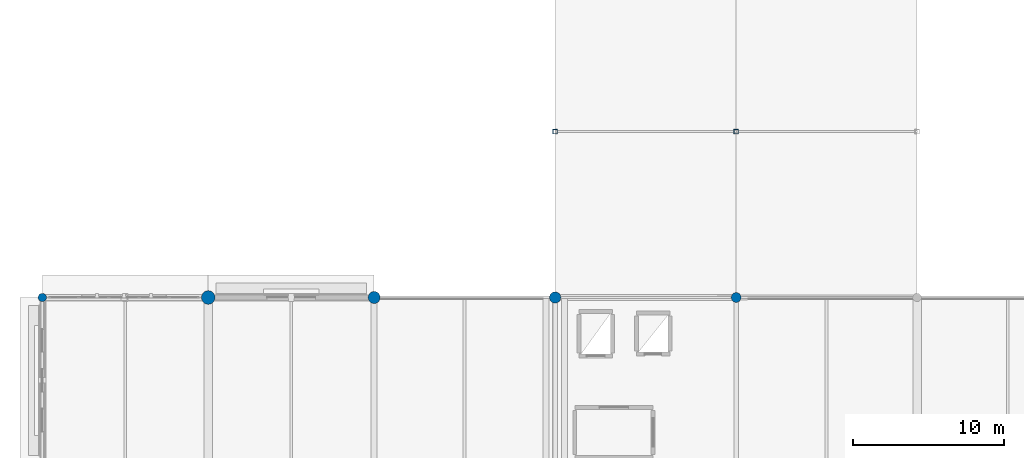
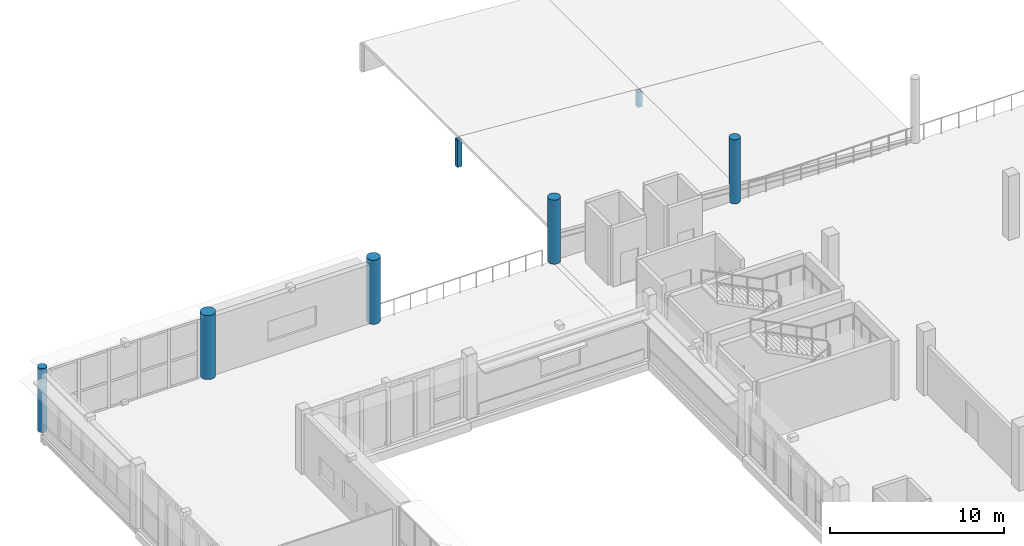
# One storey, part 10 of 118: 7 columns.
"""IFC4 building model written with IfcOpenShell, lengths in metres."""

from ifc_helpers import new_model, si_unit, direction, frame, origin, origin_2d, place, context, subcontext, project, spatial, hollow_rectangle, circle, extrude, material, material_profile, profile_set, type_object, element, save


model = new_model("IFC4")

# Units and contexts
model_context = context("Model", 3, precision=1e-05, world=origin(), true_north=direction((0.0, 1.0)))
body_context = subcontext(model_context, "Body", "Model", "MODEL_VIEW")
ifc_project = project(units=[si_unit("LENGTHUNIT", "METRE"), si_unit("AREAUNIT", "SQUARE_METRE"), si_unit("VOLUMEUNIT", "CUBIC_METRE"), si_unit("PLANEANGLEUNIT", "RADIAN"), si_unit("MASSUNIT", "GRAM", prefix="KILO")], contexts=[model_context])

# Site, building, storey
site_placement = place(None, origin())
site = spatial("IfcSite", under=ifc_project, at=site_placement, CompositionType="ELEMENT")
building_placement = place(site_placement, origin())
building = spatial("IfcBuilding", under=site, at=building_placement, Name="Luwafu Chhajja Arena", CompositionType="ELEMENT")
storey_placement = place(building_placement, frame((0.0, 0.0, 10.199951171875)))
storey = spatial("IfcBuildingStorey", under=building, at=storey_placement, Name="L02", CompositionType="ELEMENT", Elevation=10.199951171875)

# Columns
ifc_material_1 = material(Name="Concrete C35/45", Category="concrete")
ifc_material_profile_1 = material_profile(ifc_material_1, circle(Radius=0.375, at=origin_2d()), Name="RC COL D750")
ifc_profile_set_1 = profile_set([ifc_material_profile_1], Name="Concrete C35/45")
column_type_1 = type_object("IfcColumnType", Name="Charbagh Cloister Pier D750", PredefinedType="COLUMN", material=ifc_profile_set_1)
column_1_placement = place(storey_placement, frame((34.0, 99.0, 0.0), z_axis=(0.0, 0.0, 1.0), x_axis=(1.0, 0.0, 0.0)))
element("IfcColumn", 1, at=column_1_placement, inside=storey, type_object=column_type_1, Name="L02 Grid Column 4/K", PredefinedType="COLUMN", context=body_context, shape_type="SweptSolid", body=[
    extrude(circle(Radius=0.375, at=origin_2d()), origin(), (0.0, 0.0, 1.0), 4.5),
])
ifc_material_profile_2 = material_profile(ifc_material_1, circle(Radius=0.324951171875, at=origin_2d()), Name="RC COL D650")
ifc_profile_set_2 = profile_set([ifc_material_profile_2], Name="Concrete C35/45")
column_type_2 = type_object("IfcColumnType", Name="Courtyard Arcade Pier D650", PredefinedType="COLUMN", material=ifc_profile_set_2)
column_2_placement = place(storey_placement, frame((46.0, 99.0, 0.0), z_axis=(0.0, 0.0, 1.0), x_axis=(1.0, 0.0, 0.0)))
element("IfcColumn", 2, at=column_2_placement, inside=storey, type_object=column_type_2, Name="L02 Grid Column 5/K", PredefinedType="COLUMN", context=body_context, shape_type="SweptSolid", body=[
    extrude(circle(Radius=0.324951171875, at=origin_2d()), origin(), (0.0, 0.0, 1.0), 4.5),
])
ifc_material_2 = material(Name="Concrete C40/50", Category="concrete")
ifc_material_profile_3 = material_profile(ifc_material_2, circle(Radius=0.39990234375, at=origin_2d()), Name="RC COL D800")
ifc_profile_set_3 = profile_set([ifc_material_profile_3], Name="Concrete C40/50")
column_type_3 = type_object("IfcColumnType", Name="Foyer Rotunda Pier D800", PredefinedType="COLUMN", material=ifc_profile_set_3)
column_3_placement = place(storey_placement, frame((22.0, 99.0, 0.0), z_axis=(0.0, 0.0, 1.0), x_axis=(1.0, 0.0, 0.0)))
element("IfcColumn", 3, at=column_3_placement, inside=storey, type_object=column_type_3, Name="L02 Grid Column 3/K", PredefinedType="COLUMN", context=body_context, shape_type="SweptSolid", body=[
    extrude(circle(Radius=0.39990234375, at=origin_2d()), origin(), (0.0, 0.0, 1.0), 4.5),
])
ifc_material_profile_4 = material_profile(ifc_material_2, circle(Radius=0.449951171875, at=origin_2d()), Name="RC COL D900")
ifc_profile_set_4 = profile_set([ifc_material_profile_4], Name="Concrete C40/50")
column_type_4 = type_object("IfcColumnType", Name="Mughal Colonnade Drum Pier D900", PredefinedType="COLUMN", material=ifc_profile_set_4)
column_4_placement = place(storey_placement, frame((11.0, 99.0, 0.0), z_axis=(0.0, 0.0, 1.0), x_axis=(1.0, 0.0, 0.0)))
element("IfcColumn", 4, at=column_4_placement, inside=storey, type_object=column_type_4, Name="L02 Grid Column 2/K", PredefinedType="COLUMN", context=body_context, shape_type="SweptSolid", body=[
    extrude(circle(Radius=0.449951171875, at=origin_2d()), origin(), (0.0, 0.0, 1.0), 4.5),
])
ifc_material_3 = material(Name="Steel S355", Category="steel")
ifc_material_profile_5 = material_profile(ifc_material_3, hollow_rectangle(XDim=0.300048828125, YDim=0.300048828125, WallThickness=0.01611328125, at=origin_2d()), Name="SHS 300x300x16")
ifc_profile_set_5 = profile_set([ifc_material_profile_5], Name="Steel S355")
column_type_5 = type_object("IfcColumnType", Name="Steel Gallery Post SHS 300", PredefinedType="COLUMN", material=ifc_profile_set_5)
column_5_placement = place(storey_placement, frame((34.0, 110.0, 0.0), z_axis=(0.0, 0.0, 1.0), x_axis=(1.0, 0.0, 0.0)))
element("IfcColumn", 5, at=column_5_placement, inside=storey, type_object=column_type_5, Name="L02 Cloister Post 3/10A", PredefinedType="COLUMN", context=body_context, shape_type="SweptSolid", body=[
    extrude(hollow_rectangle(XDim=0.300048828125, YDim=0.300048828125, WallThickness=0.01611328125, at=origin_2d()), origin(), (0.0, 0.0, 1.0), 1.900146484375),
])
column_6_placement = place(storey_placement, frame((46.0, 110.0, 0.0), z_axis=(0.0, 0.0, 1.0), x_axis=(1.0, 0.0, 0.0)))
element("IfcColumn", 6, at=column_6_placement, inside=storey, type_object=column_type_5, Name="L02 Cloister Post 3/10B", PredefinedType="COLUMN", context=body_context, shape_type="SweptSolid", body=[
    extrude(hollow_rectangle(XDim=0.300048828125, YDim=0.300048828125, WallThickness=0.01611328125, at=origin_2d()), origin(), (0.0, 0.0, 1.0), 1.050048828125),
])
ifc_material_profile_6 = material_profile(ifc_material_1, circle(Radius=0.27490234375, at=origin_2d()), Name="RC COL D550")
ifc_profile_set_6 = profile_set([ifc_material_profile_6], Name="Concrete C35/45")
column_type_6 = type_object("IfcColumnType", Name="Terrace Loggia Pier D550", PredefinedType="COLUMN", material=ifc_profile_set_6)
column_7_placement = place(storey_placement, frame((0.0, 99.0, 0.0), z_axis=(0.0, 0.0, 1.0), x_axis=(1.0, 0.0, 0.0)))
element("IfcColumn", 7, at=column_7_placement, inside=storey, type_object=column_type_6, Name="L02 Grid Column 1/K", PredefinedType="COLUMN", context=body_context, shape_type="SweptSolid", body=[
    extrude(circle(Radius=0.27490234375, at=origin_2d()), origin(), (0.0, 0.0, 1.0), 4.5),
])

save(model, "model.ifc")
